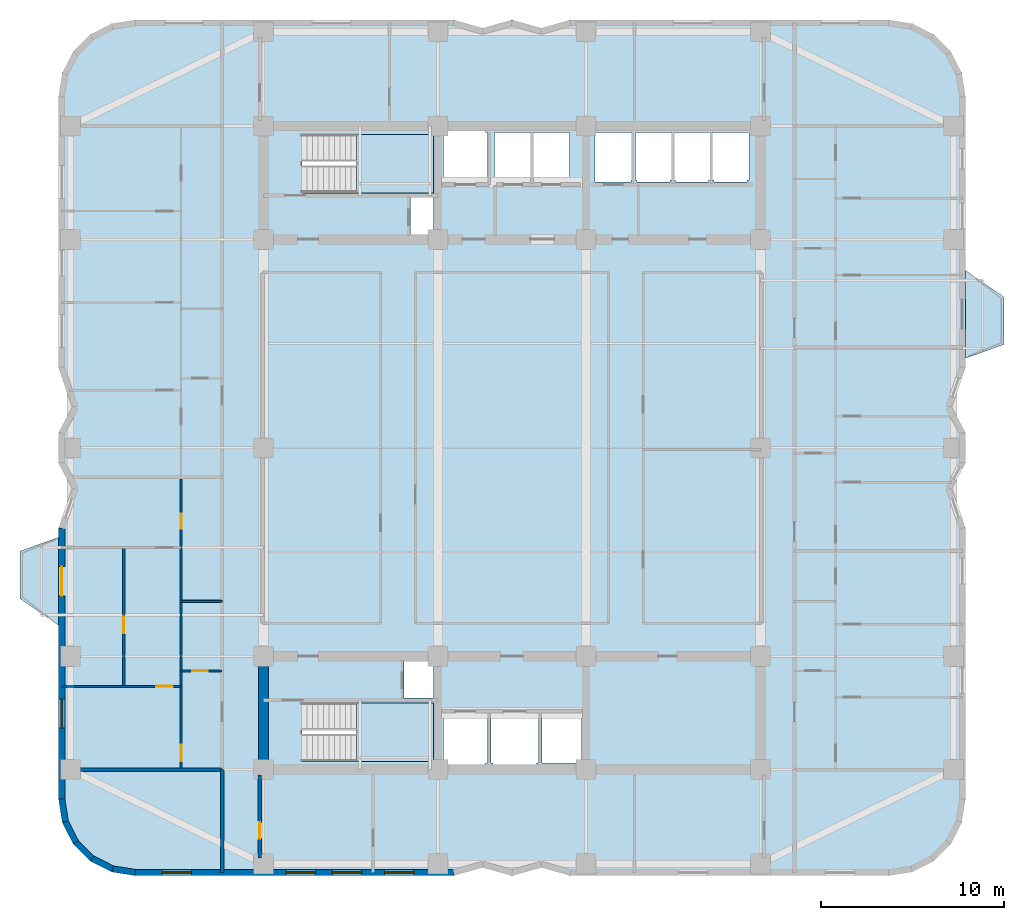
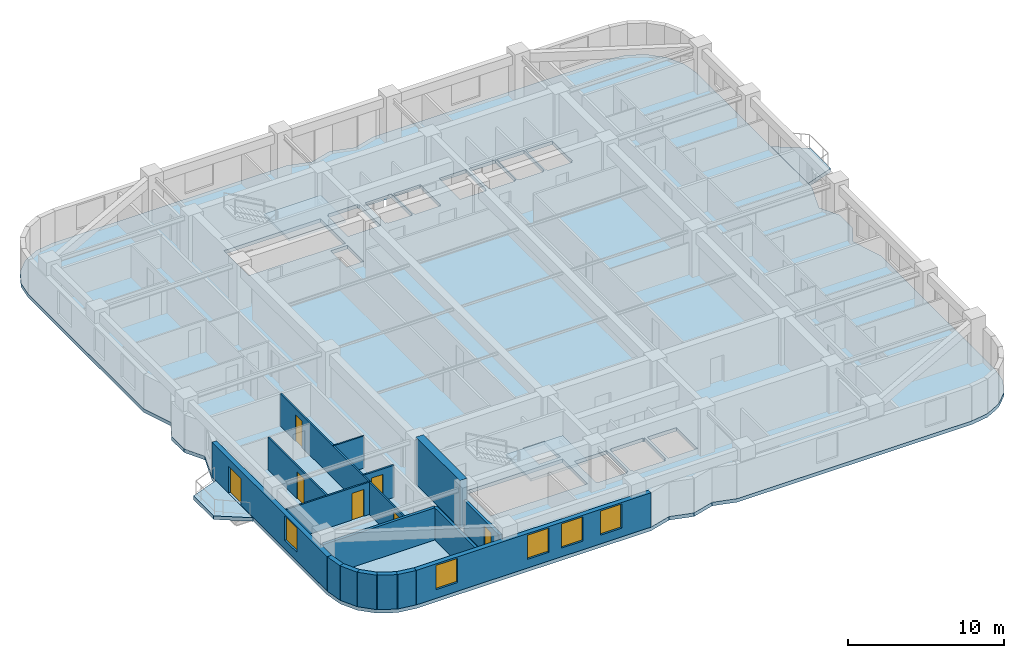
# One storey, part 2 of 9: 16 walls, 7 doors, 5 slabs, 5 windows, 12 openings, 2 elements without a shape of their own.
"""IFC4 building model written with IfcOpenShell, lengths in metres."""

from ifc_helpers import new_model, si_unit, direction, frame, frame_2d, origin, place, context, subcontext, project, spatial, polyline, rectangle, outline, extrude, material, layer, layer_set, type_object, element, fill, aggregate, save


model = new_model("IFC4")

# Units and contexts
model_context = context("Model", 3, precision=1e-05, world=origin(), true_north=direction((0.0, 1.0)))
body_context = subcontext(model_context, "Body", "Model", "MODEL_VIEW")
ifc_project = project(units=[si_unit("LENGTHUNIT", "METRE"), si_unit("AREAUNIT", "SQUARE_METRE"), si_unit("VOLUMEUNIT", "CUBIC_METRE"), si_unit("PLANEANGLEUNIT", "RADIAN"), si_unit("MASSUNIT", "GRAM", prefix="KILO")], contexts=[model_context])

# Site, building, storey
site_placement = place(None, origin())
site = spatial("IfcSite", under=ifc_project, at=site_placement, CompositionType="ELEMENT")
building_placement = place(site_placement, origin())
building = spatial("IfcBuilding", under=site, at=building_placement, Name="Svetorya Sky Lyceum", CompositionType="ELEMENT")
storey_placement = place(building_placement, frame((0.0, 0.0, 125.300048828125)))
storey = spatial("IfcBuildingStorey", under=building, at=storey_placement, Name="L31", CompositionType="ELEMENT", Elevation=125.300048828125)

# Slabs
ifc_material_1 = material(Name="Concrete C40/50", Category="concrete")
ifc_layer_1 = layer(ifc_material_1, 0.280029296875)
ifc_layer_set_1 = layer_set([ifc_layer_1], Name="Concrete C40/50")
slab_type_1 = type_object("IfcSlabType", Name="SL-BAL-280", PredefinedType="FLOOR", material=ifc_layer_set_1)
slab_1_placement = place(storey_placement, frame((0.0, 0.0, -0.280029296875)))
element("IfcSlab", 1, at=slab_1_placement, inside=storey, type_object=slab_type_1, Name="L31 Chamfered Loggia Balcony BAL-W1", PredefinedType="FLOOR", context=body_context, shape_type="SweptSolid", body=[
    extrude(outline(polyline([(14.389892578125, 18.5), (14.389892578125, 23.300048828125), (12.2900390625, 22.550048828125), (12.2900390625, 19.949951171875), (14.389892578125, 18.5)])), origin(), (0.0, 0.0, 1.0), 0.280029296875),
])
slab_2_placement = place(storey_placement, frame((0.0, 0.0, -0.280029296875)))
element("IfcSlab", 2, at=slab_2_placement, inside=storey, type_object=slab_type_1, Name="L31 Chamfered Loggia Balcony BAL-E1", PredefinedType="FLOOR", context=body_context, shape_type="SweptSolid", body=[
    extrude(outline(polyline([(64.010009765625, 33.10009765625), (66.110107421875, 33.85009765625), (66.110107421875, 36.449951171875), (64.010009765625, 37.89990234375), (64.010009765625, 33.10009765625)])), origin(), (0.0, 0.0, 1.0), 0.280029296875),
])

# Stair, slab
stair_type_1 = type_object("IfcStairType", Name="STR-ST-S", PredefinedType="HALF_TURN_STAIR", material=ifc_material_1)
stair_1_placement = place(storey_placement, origin())
stair_1 = element("IfcStair", 3, at=stair_1_placement, inside=storey, type_object=stair_type_1, Name="L31 South Core Smoke-Free Exit Stair N2", PredefinedType="HALF_TURN_STAIR")
ifc_layer_2 = layer(ifc_material_1, 0.199951171875)
ifc_layer_set_2 = layer_set([ifc_layer_2], Name="Concrete C40/50")
slab_type_2 = type_object("IfcSlabType", Name="SL-STR-LAND-200", PredefinedType="LANDING", material=ifc_layer_set_2)
slab_3_placement = place(storey_placement, frame((0.0, 0.0, 1.64990234375)))
slab_3 = element("IfcSlab", 4, at=slab_3_placement, type_object=slab_type_2, Name="ST-S landing 1", PredefinedType="LANDING", context=body_context, shape_type="SweptSolid", body=[
    extrude(outline(polyline([(30.699951171875, 11.050048828125), (34.89990234375, 11.050048828125), (34.89990234375, 14.25), (30.699951171875, 14.25), (30.699951171875, 11.050048828125)])), origin(), (0.0, 0.0, 1.0), 0.199951171875),
])
aggregate(stair_1, [slab_3])

stair_type_2 = type_object("IfcStairType", Name="STR-ST-N", PredefinedType="HALF_TURN_STAIR", material=ifc_material_1)
stair_2_placement = place(storey_placement, origin())
stair_2 = element("IfcStair", 5, at=stair_2_placement, inside=storey, type_object=stair_type_2, Name="L31 North Core Smoke-Free Exit Stair N3", PredefinedType="HALF_TURN_STAIR")
slab_4_placement = place(storey_placement, frame((0.0, 0.0, 1.64990234375)))
slab_4 = element("IfcSlab", 6, at=slab_4_placement, type_object=slab_type_2, Name="ST-N landing 1", PredefinedType="LANDING", context=body_context, shape_type="SweptSolid", body=[
    extrude(outline(polyline([(30.699951171875, 42.14990234375), (34.89990234375, 42.14990234375), (34.89990234375, 45.35009765625), (30.699951171875, 45.35009765625), (30.699951171875, 42.14990234375)])), origin(), (0.0, 0.0, 1.0), 0.199951171875),
])
aggregate(stair_2, [slab_4])

# Slab
ifc_material_2 = material(Name="Concrete C50/60", Category="concrete")
ifc_layer_3 = layer(ifc_material_2, 0.280029296875)
ifc_layer_set_3 = layer_set([ifc_layer_3], Name="Concrete C50/60")
slab_type_3 = type_object("IfcSlabType", Name="SL-TWR-280", PredefinedType="FLOOR", material=ifc_layer_set_3)
slab_5_placement = place(storey_placement, frame((0.0, 0.0, -0.280029296875)))
element("IfcSlab", 7, at=slab_5_placement, inside=storey, type_object=slab_type_3, Name="L31 Structural Floor Slab", PredefinedType="FLOOR", context=body_context, shape_type="SweptSolid", body=[
    extrude(outline(polyline([(14.39990234375, 9.0), (14.605712890625, 7.7021484375), (15.2021484375, 6.53125), (16.13134765625, 5.60205078125), (17.302001953125, 5.005615234375), (18.60009765625, 4.800048828125), (36.0, 4.800048828125), (37.60009765625, 5.25), (39.199951171875, 4.800048828125), (40.800048828125, 5.25), (42.39990234375, 4.800048828125), (59.800048828125, 4.800048828125), (61.097900390625, 5.005615234375), (62.268798828125, 5.60205078125), (63.197998046875, 6.53125), (63.79443359375, 7.7021484375), (64.0, 9.0), (64.0, 23.800048828125), (63.25, 26.0), (64.0, 27.39990234375), (64.0, 29.0), (63.25, 30.39990234375), (64.0, 32.60009765625), (64.0, 47.39990234375), (63.79443359375, 48.697998046875), (63.197998046875, 49.86865234375), (62.268798828125, 50.7978515625), (61.097900390625, 51.394287109375), (59.800048828125, 51.60009765625), (42.39990234375, 51.60009765625), (40.800048828125, 51.14990234375), (39.199951171875, 51.60009765625), (37.60009765625, 51.14990234375), (36.0, 51.60009765625), (18.60009765625, 51.60009765625), (17.302001953125, 51.394287109375), (16.13134765625, 50.7978515625), (15.2021484375, 49.86865234375), (14.605712890625, 48.697998046875), (14.39990234375, 47.39990234375), (14.39990234375, 32.60009765625), (15.14990234375, 30.39990234375), (14.39990234375, 29.0), (14.39990234375, 27.39990234375), (15.14990234375, 26.0), (14.39990234375, 23.800048828125), (14.39990234375, 9.0)]), holes=[polyline([(37.85009765625, 10.949951171875), (37.75, 10.949951171875), (37.75, 10.85009765625), (35.550048828125, 10.85009765625), (35.550048828125, 10.949951171875), (35.449951171875, 10.949951171875), (35.449951171875, 13.64990234375), (35.550048828125, 13.64990234375), (37.75, 13.64990234375), (37.85009765625, 13.64990234375), (37.85009765625, 10.949951171875)]), polyline([(40.64990234375, 13.64990234375), (40.64990234375, 10.949951171875), (40.550048828125, 10.949951171875), (40.550048828125, 10.800048828125), (38.14990234375, 10.800048828125), (38.14990234375, 10.949951171875), (38.050048828125, 10.949951171875), (38.050048828125, 13.64990234375), (38.14990234375, 13.64990234375), (38.14990234375, 13.699951171875), (40.550048828125, 13.699951171875), (40.550048828125, 13.64990234375), (40.64990234375, 13.64990234375)]), polyline([(27.719970703125, 14.25), (34.89990234375, 14.25), (34.89990234375, 11.050048828125), (27.719970703125, 11.050048828125), (27.719970703125, 14.25)]), polyline([(33.300048828125, 14.52001953125), (33.300048828125, 16.580078125), (34.89990234375, 16.580078125), (34.89990234375, 14.52001953125), (33.300048828125, 14.52001953125)]), polyline([(33.64990234375, 41.89990234375), (34.89990234375, 41.89990234375), (34.89990234375, 39.820068359375), (33.64990234375, 39.820068359375), (33.64990234375, 41.89990234375)]), polyline([(27.719970703125, 45.35009765625), (34.89990234375, 45.35009765625), (34.89990234375, 42.14990234375), (27.719970703125, 42.14990234375), (27.719970703125, 45.35009765625)]), polyline([(37.75, 45.550048828125), (37.75, 45.449951171875), (37.85009765625, 45.449951171875), (37.85009765625, 42.75), (37.75, 42.75), (35.550048828125, 42.75), (35.449951171875, 42.75), (35.449951171875, 45.449951171875), (35.550048828125, 45.449951171875), (35.550048828125, 45.550048828125), (37.75, 45.550048828125)]), polyline([(38.39990234375, 42.85009765625), (38.25, 42.85009765625), (38.25, 45.449951171875), (38.39990234375, 45.449951171875), (40.199951171875, 45.449951171875), (40.25, 45.449951171875), (40.25, 42.85009765625), (40.199951171875, 42.85009765625), (40.199951171875, 42.75), (38.39990234375, 42.75), (38.39990234375, 42.85009765625)]), polyline([(40.85009765625, 13.64990234375), (43.0, 13.64990234375), (43.0, 10.949951171875), (40.85009765625, 10.949951171875), (40.85009765625, 13.64990234375)]), polyline([(40.39990234375, 42.85009765625), (40.35009765625, 42.85009765625), (40.35009765625, 45.449951171875), (40.39990234375, 45.449951171875), (42.300048828125, 45.449951171875), (42.35009765625, 45.449951171875), (42.35009765625, 42.85009765625), (42.300048828125, 42.85009765625), (42.300048828125, 42.75), (40.39990234375, 42.75), (40.39990234375, 42.85009765625)]), polyline([(43.75, 42.75), (43.75, 42.85009765625), (43.75, 45.449951171875), (45.699951171875, 45.449951171875), (45.75, 45.449951171875), (45.75, 42.85009765625), (45.699951171875, 42.85009765625), (45.699951171875, 42.75), (43.75, 42.75)]), polyline([(46.050048828125, 42.85009765625), (45.949951171875, 42.85009765625), (45.949951171875, 45.449951171875), (46.050048828125, 45.449951171875), (47.85009765625, 45.449951171875), (47.949951171875, 45.449951171875), (47.949951171875, 42.85009765625), (47.85009765625, 42.85009765625), (47.85009765625, 42.75), (46.050048828125, 42.75), (46.050048828125, 42.85009765625)]), polyline([(48.14990234375, 42.85009765625), (48.050048828125, 42.85009765625), (48.050048828125, 45.449951171875), (48.14990234375, 45.449951171875), (49.949951171875, 45.449951171875), (50.050048828125, 45.449951171875), (50.050048828125, 42.85009765625), (49.949951171875, 42.85009765625), (49.949951171875, 42.75), (48.14990234375, 42.75), (48.14990234375, 42.85009765625)]), polyline([(52.14990234375, 42.85009765625), (52.050048828125, 42.85009765625), (52.050048828125, 42.75), (50.25, 42.75), (50.25, 42.85009765625), (50.14990234375, 42.85009765625), (50.14990234375, 45.449951171875), (50.25, 45.449951171875), (52.050048828125, 45.449951171875), (52.14990234375, 45.449951171875), (52.14990234375, 42.85009765625)])]), origin(), (0.0, 0.0, 1.0), 0.280029296875),
])

# Walls
ifc_material_3 = material(Name="Concrete C60/75", Category="concrete")
ifc_layer_4 = layer(ifc_material_3, 0.550048828125)
ifc_layer_set_4 = layer_set([ifc_layer_4], Name="Concrete C60/75")
wall_type_1 = type_object("IfcWallType", Name="WL-CORE-550", PredefinedType="SHEAR", material=ifc_layer_set_4)
wall_1_placement = place(storey_placement, frame((25.60009765625, 10.875, 0.0), z_axis=(0.0, 0.0, 1.0), x_axis=(0.0, 1.0, 0.0)))
element("IfcWall", 8, at=wall_1_placement, inside=storey, type_object=wall_type_1, Name="L31 SC West Core Shear Wall", PredefinedType="SHEAR", context=body_context, shape_type="SweptSolid", body=[
    extrude(rectangle(XDim=5.64990234375, YDim=0.550048828125, at=frame_2d((2.824951171875, 0.0))), origin(), (0.0, 0.0, 1.0), 3.699951171875),
])
ifc_material_4 = material(Name="Putilovo limestone rainscreen on autoclaved cellular masonry", Category="masonry")
ifc_layer_5 = layer(ifc_material_4, 0.340087890625)
ifc_layer_set_5 = layer_set([ifc_layer_5], Name="Putilovo limestone rainscreen on autoclaved cellular masonry")
wall_type_2 = type_object("IfcWallType", Name="WL-EXT-340", PredefinedType="SOLIDWALL", material=ifc_layer_set_5)
wall_2_placement = place(storey_placement, frame((14.570068359375, 9.0, 0.0), z_axis=(0.0, 0.0, 1.0), x_axis=(0.156260864002, -0.98771582066, 0.0)))
element("IfcWall", 9, at=wall_2_placement, inside=storey, type_object=wall_type_2, Name="L31 Limestone Exterior Wall 1M", PredefinedType="SOLIDWALL", context=body_context, shape_type="SweptSolid", body=[
    extrude(rectangle(XDim=1.2607421875, YDim=0.340087890625, at=frame_2d((0.63037109375, 0.0))), origin(), (0.0, 0.0, 1.0), 2.699951171875),
])
wall_3_placement = place(storey_placement, frame((14.76708984375, 7.754638671875, 0.0), z_axis=(0.0, 0.0, 1.0), x_axis=(0.454015689056, -0.890993689142, 0.0)))
element("IfcWall", 10, at=wall_3_placement, inside=storey, type_object=wall_type_2, Name="L31 Limestone Exterior Wall 2M", PredefinedType="SOLIDWALL", context=body_context, shape_type="SweptSolid", body=[
    extrude(rectangle(XDim=1.260986328125, YDim=0.340087890625, at=frame_2d((0.63037109375, 0.0))), origin(), (0.0, 0.0, 1.0), 2.699951171875),
])
wall_4_placement = place(storey_placement, frame((15.339599609375, 6.631103515625, 0.0), z_axis=(0.0, 0.0, 1.0), x_axis=(0.707203598708, -0.707009950407, 0.0)))
element("IfcWall", 11, at=wall_4_placement, inside=storey, type_object=wall_type_2, Name="L31 Limestone Exterior Wall 3M", PredefinedType="SOLIDWALL", context=body_context, shape_type="SweptSolid", body=[
    extrude(rectangle(XDim=1.2607421875, YDim=0.340087890625, at=frame_2d((0.63037109375, 0.0))), origin(), (0.0, 0.0, 1.0), 2.699951171875),
])
for number, where, z_axis, x_axis, name in (
    (12, (16.231201171875, 5.73974609375, 0.0), (0.0, 0.0, 1.0), (0.890993689142, -0.454015689056, 0.0), "L31 Limestone Exterior Wall 4M"),
    (13, (17.354736328125, 5.167236328125, 0.0), (0.0, 0.0, 1.0), (0.987685918112, -0.15644975923, 0.0), "L31 Limestone Exterior Wall 5M"),
):
    element("IfcWall", number, at=place(storey_placement, frame(where, z_axis=z_axis, x_axis=x_axis)), inside=storey, type_object=wall_type_2, Name=name, PredefinedType="SOLIDWALL", context=body_context, shape_type="SweptSolid", body=[
        extrude(rectangle(XDim=1.260986328125, YDim=0.340087890625, at=frame_2d((0.63037109375, 0.0))), origin(), (0.0, 0.0, 1.0), 2.699951171875),
    ])

# Wall, openings, windows
wall_5_placement = place(storey_placement, frame((18.60009765625, 4.969970703125, 0.0), z_axis=(0.0, 0.0, 1.0), x_axis=(1.0, 0.0, 0.0)))
wall_5 = element("IfcWall", 14, at=wall_5_placement, inside=storey, type_object=wall_type_2, Name="L31 Limestone Exterior Wall 6M", PredefinedType="SOLIDWALL", context=body_context, shape_type="SweptSolid", body=[
    extrude(rectangle(XDim=17.39990234375, YDim=0.340087890625, at=frame_2d((8.699951171875, 0.0))), origin(), (0.0, 0.0, 1.0), 2.699951171875),
])
opening_1_placement = place(wall_5_placement, frame((1.4599609375, 0.0, 0.679931640625)))
opening_1 = element("IfcOpeningElement", 15, at=opening_1_placement, cuts=wall_5, Name="Opening W-R4", PredefinedType="OPENING", context=body_context, shape_type="SweptSolid", body=[
    extrude(rectangle(XDim=1.60009765625, YDim=1.89990234375, at=frame_2d((0.800048828125, 0.949951171875))), frame((0.0, 0.179931640625, 0.0), z_axis=(0.0, -1.0, 0.0), x_axis=(1.0, 0.0, 0.0)), (0.0, 0.0, 1.0), 0.360107421875),
])
opening_2_placement = place(wall_5_placement, frame((8.25, 0.0, 0.679931640625)))
opening_2 = element("IfcOpeningElement", 16, at=opening_2_placement, cuts=wall_5, Name="Opening W-R4", PredefinedType="OPENING", context=body_context, shape_type="SweptSolid", body=[
    extrude(rectangle(XDim=1.60009765625, YDim=1.89990234375, at=frame_2d((0.800048828125, 0.949951171875))), frame((0.0, 0.179931640625, 0.0), z_axis=(0.0, -1.0, 0.0), x_axis=(1.0, 0.0, 0.0)), (0.0, 0.0, 1.0), 0.360107421875),
])
opening_3_placement = place(wall_5_placement, frame((10.77001953125, 0.0, 0.679931640625)))
opening_3 = element("IfcOpeningElement", 17, at=opening_3_placement, cuts=wall_5, Name="Opening W-R4", PredefinedType="OPENING", context=body_context, shape_type="SweptSolid", body=[
    extrude(rectangle(XDim=1.60009765625, YDim=1.89990234375, at=frame_2d((0.800048828125, 0.949951171875))), frame((0.0, 0.179931640625, 0.0), z_axis=(0.0, -1.0, 0.0), x_axis=(1.0, 0.0, 0.0)), (0.0, 0.0, 1.0), 0.360107421875),
])
opening_4_placement = place(wall_5_placement, frame((13.639892578125, 0.0, 0.679931640625)))
opening_4 = element("IfcOpeningElement", 18, at=opening_4_placement, cuts=wall_5, Name="Opening W-R4", PredefinedType="OPENING", context=body_context, shape_type="SweptSolid", body=[
    extrude(rectangle(XDim=1.60009765625, YDim=1.89990234375, at=frame_2d((0.800048828125, 0.949951171875))), frame((0.0, 0.179931640625, 0.0), z_axis=(0.0, -1.0, 0.0), x_axis=(1.0, 0.0, 0.0)), (0.0, 0.0, 1.0), 0.360107421875),
])
ifc_material_5 = material(Name="Thermally broken aluminium frame with triple low-E glazing", Category="aluminium")
window_type = type_object("IfcWindowType", Name="WN-RES-160", PartitioningType="DOUBLE_PANEL_VERTICAL", PredefinedType="WINDOW", material=ifc_material_5)
window_1_placement = place(opening_1_placement, origin())
window_1 = element("IfcWindow", 19, at=window_1_placement, inside=storey, type_object=window_type, Name="L31 Facade Window W-R4.6M.1", OverallHeight=1.89990234375, OverallWidth=1.60009765625, PartitioningType="SINGLE_PANEL", PredefinedType="WINDOW", context=body_context, shape_type="SweptSolid", body=[
    extrude(rectangle(XDim=1.60009765625, YDim=1.89990234375, at=frame_2d((0.800048828125, 0.949951171875))), frame((0.0, 0.030029296875, 0.0), z_axis=(0.0, -1.0, 0.0), x_axis=(1.0, 0.0, 0.0)), (0.0, 0.0, 1.0), 0.06005859375),
])
fill(opening_1, window_1)
window_2_placement = place(opening_2_placement, origin())
window_2 = element("IfcWindow", 20, at=window_2_placement, inside=storey, type_object=window_type, Name="L31 Facade Window W-R4.6M.2", OverallHeight=1.89990234375, OverallWidth=1.60009765625, PartitioningType="SINGLE_PANEL", PredefinedType="WINDOW", context=body_context, shape_type="SweptSolid", body=[
    extrude(rectangle(XDim=1.60009765625, YDim=1.89990234375, at=frame_2d((0.800048828125, 0.949951171875))), frame((0.0, 0.030029296875, 0.0), z_axis=(0.0, -1.0, 0.0), x_axis=(1.0, 0.0, 0.0)), (0.0, 0.0, 1.0), 0.06005859375),
])
fill(opening_2, window_2)
window_3_placement = place(opening_3_placement, origin())
window_3 = element("IfcWindow", 21, at=window_3_placement, inside=storey, type_object=window_type, Name="L31 Facade Window W-R4.6M.3", OverallHeight=1.89990234375, OverallWidth=1.60009765625, PartitioningType="SINGLE_PANEL", PredefinedType="WINDOW", context=body_context, shape_type="SweptSolid", body=[
    extrude(rectangle(XDim=1.60009765625, YDim=1.89990234375, at=frame_2d((0.800048828125, 0.949951171875))), frame((0.0, 0.030029296875, 0.0), z_axis=(0.0, -1.0, 0.0), x_axis=(1.0, 0.0, 0.0)), (0.0, 0.0, 1.0), 0.06005859375),
])
fill(opening_3, window_3)
window_4_placement = place(opening_4_placement, origin())
window_4 = element("IfcWindow", 22, at=window_4_placement, inside=storey, type_object=window_type, Name="L31 Facade Window W-R4.6M.4", OverallHeight=1.89990234375, OverallWidth=1.60009765625, PartitioningType="SINGLE_PANEL", PredefinedType="WINDOW", context=body_context, shape_type="SweptSolid", body=[
    extrude(rectangle(XDim=1.60009765625, YDim=1.89990234375, at=frame_2d((0.800048828125, 0.949951171875))), frame((0.0, 0.030029296875, 0.0), z_axis=(0.0, -1.0, 0.0), x_axis=(1.0, 0.0, 0.0)), (0.0, 0.0, 1.0), 0.06005859375),
])
fill(opening_4, window_4)

# Wall, openings, door, window
wall_6_placement = place(storey_placement, frame((14.570068359375, 23.800048828125, 0.0), z_axis=(0.0, 0.0, 1.0), x_axis=(0.0, -1.0, 0.0)))
wall_6 = element("IfcWall", 23, at=wall_6_placement, inside=storey, type_object=wall_type_2, Name="L31 Limestone Exterior Wall 46M", PredefinedType="SOLIDWALL", context=body_context, shape_type="SweptSolid", body=[
    extrude(rectangle(XDim=14.800048828125, YDim=0.340087890625, at=frame_2d((7.39990234375, 0.0))), origin(), (0.0, 0.0, 1.0), 2.699951171875),
])
opening_5_placement = place(wall_6_placement, frame((2.10009765625, 0.0, 0.0)))
opening_5 = element("IfcOpeningElement", 24, at=opening_5_placement, cuts=wall_6, Name="Opening D-BL1", PredefinedType="OPENING", context=body_context, shape_type="SweptSolid", body=[
    extrude(rectangle(XDim=1.60009765625, YDim=2.10009765625, at=frame_2d((0.800048828125, 1.050048828125))), frame((0.0, 0.179931640625, 0.0), z_axis=(0.0, -1.0, 0.0), x_axis=(1.0, 0.0, 0.0)), (0.0, 0.0, 1.0), 0.360107421875),
])
opening_6_placement = place(wall_6_placement, frame((9.33740234375, 0.0, 0.679931640625)))
opening_6 = element("IfcOpeningElement", 25, at=opening_6_placement, cuts=wall_6, Name="Opening W-R4", PredefinedType="OPENING", context=body_context, shape_type="SweptSolid", body=[
    extrude(rectangle(XDim=1.60009765625, YDim=1.89990234375, at=frame_2d((0.800048828125, 0.949951171875))), frame((0.0, 0.179931640625, 0.0), z_axis=(0.0, -1.0, 0.0), x_axis=(1.0, 0.0, 0.0)), (0.0, 0.0, 1.0), 0.360107421875),
])
ifc_material_6 = material(Name="Insulated glazed aluminium balcony door", Category="aluminium")
door_type_1 = type_object("IfcDoorType", Name="DR-BAL-1600", OperationType="DOUBLE_DOOR_SINGLE_SWING", PredefinedType="DOOR", material=ifc_material_6)
door_1_placement = place(opening_5_placement, origin())
door_1 = element("IfcDoor", 26, at=door_1_placement, inside=storey, type_object=door_type_1, Name="L31 Balcony BAL-W1 Door", OperationType="DOUBLE_DOOR_SINGLE_SWING", OverallHeight=2.10009765625, OverallWidth=1.60009765625, PredefinedType="DOOR", context=body_context, shape_type="SweptSolid", body=[
    extrude(rectangle(XDim=1.60009765625, YDim=2.10009765625, at=frame_2d((0.800048828125, 1.050048828125))), frame((0.0, 0.02490234375, 0.0), z_axis=(0.0, -1.0, 0.0), x_axis=(1.0, 0.0, 0.0)), (0.0, 0.0, 1.0), 0.050048828125),
])
fill(opening_5, door_1)
window_5_placement = place(opening_6_placement, origin())
window_5 = element("IfcWindow", 27, at=window_5_placement, inside=storey, type_object=window_type, Name="L31 Facade Window W-R4.46M.1", OverallHeight=1.89990234375, OverallWidth=1.60009765625, PartitioningType="SINGLE_PANEL", PredefinedType="WINDOW", context=body_context, shape_type="SweptSolid", body=[
    extrude(rectangle(XDim=1.60009765625, YDim=1.89990234375, at=frame_2d((0.800048828125, 0.949951171875))), frame((0.0, 0.030029296875, 0.0), z_axis=(0.0, -1.0, 0.0), x_axis=(1.0, 0.0, 0.0)), (0.0, 0.0, 1.0), 0.06005859375),
])
fill(opening_6, window_5)

# Wall
ifc_material_7 = material(Name="Galvanized stud partition with moisture-resistant board", Category="gypsum")
ifc_layer_6 = layer(ifc_material_7, 0.10009765625)
ifc_layer_set_6 = layer_set([ifc_layer_6], Name="Galvanized stud partition with moisture-resistant board")
wall_type_3 = type_object("IfcWallType", Name="WL-PART-100", PredefinedType="PARTITIONING", material=ifc_layer_set_6)
wall_7_placement = place(storey_placement, frame((21.10009765625, 19.800048828125, 0.0), z_axis=(0.0, 0.0, 1.0), x_axis=(1.0, 0.0, 0.0)))
element("IfcWall", 28, at=wall_7_placement, inside=storey, type_object=wall_type_3, Name="L31 Interior Partition W1-WH2", PredefinedType="PARTITIONING", context=body_context, shape_type="SweptSolid", body=[
    extrude(rectangle(XDim=2.25, YDim=0.10009765625, at=frame_2d((1.125, 0.0))), origin(), (0.0, 0.0, 1.0), 2.530029296875),
])

# Wall, opening, door
ifc_material_8 = material(Name="Twin-stud galvanized framing with double fireboard", Category="gypsum")
ifc_layer_7 = layer(ifc_material_8, 0.1201171875)
ifc_layer_set_7 = layer_set([ifc_layer_7], Name="Twin-stud galvanized framing with double fireboard")
wall_type_4 = type_object("IfcWallType", Name="WL-PART-120", PredefinedType="PARTITIONING", material=ifc_layer_set_7)
wall_8_placement = place(storey_placement, frame((21.10009765625, 16.0, 0.0), z_axis=(0.0, 0.0, 1.0), x_axis=(1.0, 0.0, 0.0)))
wall_8 = element("IfcWall", 29, at=wall_8_placement, inside=storey, type_object=wall_type_4, Name="L31 Interior Partition W1-WH1", PredefinedType="PARTITIONING", context=body_context, shape_type="SweptSolid", body=[
    extrude(rectangle(XDim=2.25, YDim=0.1201171875, at=frame_2d((1.125, 0.0))), origin(), (0.0, 0.0, 1.0), 2.530029296875),
])
opening_7_placement = place(wall_8_placement, frame((0.60009765625, 0.0, 0.0)))
opening_7 = element("IfcOpeningElement", 30, at=opening_7_placement, cuts=wall_8, Name="Opening D-BT1", PredefinedType="OPENING", context=body_context, shape_type="SweptSolid", body=[
    extrude(rectangle(XDim=0.85009765625, YDim=2.10009765625, at=frame_2d((0.425048828125, 1.050048828125))), frame((0.0, 0.070068359375, 0.0), z_axis=(0.0, -1.0, 0.0), x_axis=(1.0, 0.0, 0.0)), (0.0, 0.0, 1.0), 0.14013671875),
])
ifc_material_9 = material(Name="Moisture-resistant laminate bathroom door")
door_type_2 = type_object("IfcDoorType", Name="DR-WET-850", OperationType="SINGLE_SWING_LEFT", PredefinedType="DOOR", material=ifc_material_9)
door_2_placement = place(opening_7_placement, origin())
door_2 = element("IfcDoor", 31, at=door_2_placement, inside=storey, type_object=door_type_2, Name="Apartment W1 Bathroom Door", OperationType="SINGLE_SWING_LEFT", OverallHeight=2.10009765625, OverallWidth=0.85009765625, PredefinedType="DOOR", context=body_context, shape_type="SweptSolid", body=[
    extrude(rectangle(XDim=0.85009765625, YDim=2.10009765625, at=frame_2d((0.425048828125, 1.050048828125))), frame((0.0, 0.02490234375, 0.0), z_axis=(0.0, -1.0, 0.0), x_axis=(1.0, 0.0, 0.0)), (0.0, 0.0, 1.0), 0.050048828125),
])
fill(opening_7, door_2)

wall_9_placement = place(storey_placement, frame((17.96630859375, 15.18994140625, 0.0), z_axis=(0.0, 0.0, 1.0), x_axis=(0.0, 1.0, 0.0)))
wall_9 = element("IfcWall", 32, at=wall_9_placement, inside=storey, type_object=wall_type_4, Name="L31 Interior Partition W1-BVD1", PredefinedType="PARTITIONING", context=body_context, shape_type="SweptSolid", body=[
    extrude(rectangle(XDim=7.52001953125, YDim=0.1201171875, at=frame_2d((3.760009765625, 0.0))), origin(), (0.0, 0.0, 1.0), 2.530029296875),
])
opening_8_placement = place(wall_9_placement, frame((2.860107421875, 0.0, 0.0)))
opening_8 = element("IfcOpeningElement", 33, at=opening_8_placement, cuts=wall_9, Name="Opening D-RM1", PredefinedType="OPENING", context=body_context, shape_type="SweptSolid", body=[
    extrude(rectangle(XDim=0.89990234375, YDim=2.10009765625, at=frame_2d((0.449951171875, 1.050048828125))), frame((0.0, 0.070068359375, 0.0), z_axis=(0.0, -1.0, 0.0), x_axis=(1.0, 0.0, 0.0)), (0.0, 0.0, 1.0), 0.14013671875),
])
ifc_material_10 = material(Name="Lacquered birch veneer internal door")
door_type_3 = type_object("IfcDoorType", Name="DR-INT-900", OperationType="SINGLE_SWING_LEFT", PredefinedType="DOOR", material=ifc_material_10)
door_3_placement = place(opening_8_placement, origin())
door_3 = element("IfcDoor", 34, at=door_3_placement, inside=storey, type_object=door_type_3, Name="Apartment W1 Suite Bedroom Door", OperationType="SINGLE_SWING_LEFT", OverallHeight=2.10009765625, OverallWidth=0.89990234375, PredefinedType="DOOR", context=body_context, shape_type="SweptSolid", body=[
    extrude(rectangle(XDim=0.89990234375, YDim=2.10009765625, at=frame_2d((0.449951171875, 1.050048828125))), frame((0.0, 0.02490234375, 0.0), z_axis=(0.0, -1.0, 0.0), x_axis=(1.0, 0.0, 0.0)), (0.0, 0.0, 1.0), 0.050048828125),
])
fill(opening_8, door_3)

wall_10_placement = place(storey_placement, frame((14.570068359375, 15.14990234375, 0.0), z_axis=(0.0, 0.0, 1.0), x_axis=(1.0, 0.0, 0.0)))
wall_10 = element("IfcWall", 35, at=wall_10_placement, inside=storey, type_object=wall_type_4, Name="L31 Interior Partition W1-WL1", PredefinedType="PARTITIONING", context=body_context, shape_type="SweptSolid", body=[
    extrude(rectangle(XDim=6.530029296875, YDim=0.1201171875, at=frame_2d((3.26513671875, 0.0))), origin(), (0.0, 0.0, 1.0), 2.530029296875),
])
opening_9_placement = place(wall_10_placement, frame((5.179931640625, 0.0, 0.0)))
opening_9 = element("IfcOpeningElement", 36, at=opening_9_placement, cuts=wall_10, Name="Opening D-RM1", PredefinedType="OPENING", context=body_context, shape_type="SweptSolid", body=[
    extrude(rectangle(XDim=0.89990234375, YDim=2.10009765625, at=frame_2d((0.449951171875, 1.050048828125))), frame((0.0, 0.070068359375, 0.0), z_axis=(0.0, -1.0, 0.0), x_axis=(1.0, 0.0, 0.0)), (0.0, 0.0, 1.0), 0.14013671875),
])
door_4_placement = place(opening_9_placement, origin())
door_4 = element("IfcDoor", 37, at=door_4_placement, inside=storey, type_object=door_type_3, Name="Apartment W1 Master Bedroom Door", OperationType="SINGLE_SWING_LEFT", OverallHeight=2.10009765625, OverallWidth=0.89990234375, PredefinedType="DOOR", context=body_context, shape_type="SweptSolid", body=[
    extrude(rectangle(XDim=0.89990234375, YDim=2.10009765625, at=frame_2d((0.449951171875, 1.050048828125))), frame((0.0, 0.02490234375, 0.0), z_axis=(0.0, -1.0, 0.0), x_axis=(1.0, 0.0, 0.0)), (0.0, 0.0, 1.0), 0.050048828125),
])
fill(opening_9, door_4)

# Wall, openings, doors
wall_11_placement = place(storey_placement, frame((21.10009765625, 10.639892578125, 0.0), z_axis=(0.0, 0.0, 1.0), x_axis=(0.0, 1.0, 0.0)))
wall_11 = element("IfcWall", 38, at=wall_11_placement, inside=storey, type_object=wall_type_4, Name="L31 Interior Partition W1-WV", PredefinedType="PARTITIONING", context=body_context, shape_type="SweptSolid", body=[
    extrude(rectangle(XDim=15.920166015625, YDim=0.1201171875, at=frame_2d((7.9599609375, 0.0))), origin(), (0.0, 0.0, 1.0), 2.530029296875),
])
opening_10_placement = place(wall_11_placement, frame((0.409912109375, 0.0, 0.0)))
opening_10 = element("IfcOpeningElement", 39, at=opening_10_placement, cuts=wall_11, Name="Opening D-RM1", PredefinedType="OPENING", context=body_context, shape_type="SweptSolid", body=[
    extrude(rectangle(XDim=0.89990234375, YDim=2.10009765625, at=frame_2d((0.449951171875, 1.050048828125))), frame((0.0, 0.070068359375, 0.0), z_axis=(0.0, -1.0, 0.0), x_axis=(1.0, 0.0, 0.0)), (0.0, 0.0, 1.0), 0.14013671875),
])
opening_11_placement = place(wall_11_placement, frame((13.125, 0.0, 0.0)))
opening_11 = element("IfcOpeningElement", 40, at=opening_11_placement, cuts=wall_11, Name="Opening D-BT2", PredefinedType="OPENING", context=body_context, shape_type="SweptSolid", body=[
    extrude(rectangle(XDim=0.820068359375, YDim=2.080078125, at=frame_2d((0.41015625, 1.0400390625))), frame((0.0, 0.070068359375, 0.0), z_axis=(0.0, -1.0, 0.0), x_axis=(1.0, 0.0, 0.0)), (0.0, 0.0, 1.0), 0.14013671875),
])
door_5_placement = place(opening_10_placement, origin())
door_5 = element("IfcDoor", 41, at=door_5_placement, inside=storey, type_object=door_type_3, Name="Apartment W1 Living Door", OperationType="SINGLE_SWING_RIGHT", OverallHeight=2.10009765625, OverallWidth=0.89990234375, PredefinedType="DOOR", context=body_context, shape_type="SweptSolid", body=[
    extrude(rectangle(XDim=0.89990234375, YDim=2.10009765625, at=frame_2d((0.449951171875, 1.050048828125))), frame((0.0, 0.02490234375, 0.0), z_axis=(0.0, -1.0, 0.0), x_axis=(1.0, 0.0, 0.0)), (0.0, 0.0, 1.0), 0.050048828125),
])
fill(opening_10, door_5)
ifc_material_11 = material(Name="Compact moisture-resistant laminate closet door")
door_type_4 = type_object("IfcDoorType", Name="DR-WET-820", OperationType="SINGLE_SWING_LEFT", PredefinedType="DOOR", material=ifc_material_11)
door_6_placement = place(opening_11_placement, origin())
door_6 = element("IfcDoor", 42, at=door_6_placement, inside=storey, type_object=door_type_4, Name="Apartment W1 Study Door", OperationType="SINGLE_SWING_LEFT", OverallHeight=2.080078125, OverallWidth=0.820068359375, PredefinedType="DOOR", context=body_context, shape_type="SweptSolid", body=[
    extrude(rectangle(XDim=0.820068359375, YDim=2.080078125, at=frame_2d((0.41015625, 1.0400390625))), frame((0.0, 0.02490234375, 0.0), z_axis=(0.0, -1.0, 0.0), x_axis=(1.0, 0.0, 0.0)), (0.0, 0.0, 1.0), 0.050048828125),
])
fill(opening_11, door_6)

# Walls
ifc_material_12 = material(Name="Autoclaved cellular masonry blockwork with gypsum plaster", Category="masonry")
ifc_layer_8 = layer(ifc_material_12, 0.199951171875)
ifc_layer_set_8 = layer_set([ifc_layer_8], Name="Autoclaved cellular masonry blockwork with gypsum plaster")
wall_type_5 = type_object("IfcWallType", Name="WL-PART-200", PredefinedType="PARTITIONING", material=ifc_layer_set_8)
wall_12_placement = place(storey_placement, frame((14.989990234375, 10.60009765625, 0.0), z_axis=(0.0, 0.0, 1.0), x_axis=(1.0, 0.0, 0.0)))
element("IfcWall", 43, at=wall_12_placement, inside=storey, type_object=wall_type_5, Name="L31 Interior Partition W-CAP-S", PredefinedType="PARTITIONING", context=body_context, shape_type="SweptSolid", body=[
    extrude(rectangle(XDim=8.360107421875, YDim=0.199951171875, at=frame_2d((4.18017578125, 0.0))), origin(), (0.0, 0.0, 1.0), 2.530029296875),
])
wall_13_placement = place(storey_placement, frame((23.35009765625, 4.969970703125, 0.0), z_axis=(0.0, 0.0, 1.0), x_axis=(0.0, 1.0, 0.0)))
element("IfcWall", 44, at=wall_13_placement, inside=storey, type_object=wall_type_5, Name="L31 Interior Partition WC-SW-END", PredefinedType="PARTITIONING", context=body_context, shape_type="SweptSolid", body=[
    extrude(rectangle(XDim=5.630126953125, YDim=0.199951171875, at=frame_2d((2.81494140625, 0.0))), origin(), (0.0, 0.0, 1.0), 2.530029296875),
])

# Wall, opening, door
wall_14_placement = place(storey_placement, frame((25.39990234375, 5.77001953125, 0.0), z_axis=(0.0, 0.0, 1.0), x_axis=(0.0, 1.0, 0.0)))
wall_14 = element("IfcWall", 45, at=wall_14_placement, inside=storey, type_object=wall_type_5, Name="L31 Interior Partition S-EW", PredefinedType="PARTITIONING", context=body_context, shape_type="SweptSolid", body=[
    extrude(rectangle(XDim=4.530029296875, YDim=0.199951171875, at=frame_2d((2.26513671875, 0.0))), origin(), (0.0, 0.0, 1.0), 2.530029296875),
])
opening_12_placement = place(wall_14_placement, frame((1.050048828125, 0.0, 0.0)))
opening_12 = element("IfcOpeningElement", 46, at=opening_12_placement, cuts=wall_14, Name="Opening D-RM1", PredefinedType="OPENING", context=body_context, shape_type="SweptSolid", body=[
    extrude(rectangle(XDim=0.89990234375, YDim=2.10009765625, at=frame_2d((0.449951171875, 1.050048828125))), frame((0.0, 0.10986328125, 0.0), z_axis=(0.0, -1.0, 0.0), x_axis=(1.0, 0.0, 0.0)), (0.0, 0.0, 1.0), 0.219970703125),
])
door_7_placement = place(opening_12_placement, origin())
door_7 = element("IfcDoor", 47, at=door_7_placement, inside=storey, type_object=door_type_3, Name="L31 South Study Door", OperationType="SINGLE_SWING_LEFT", OverallHeight=2.10009765625, OverallWidth=0.89990234375, PredefinedType="DOOR", context=body_context, shape_type="SweptSolid", body=[
    extrude(rectangle(XDim=0.89990234375, YDim=2.10009765625, at=frame_2d((0.449951171875, 1.050048828125))), frame((0.0, 0.02490234375, 0.0), z_axis=(0.0, -1.0, 0.0), x_axis=(1.0, 0.0, 0.0)), (0.0, 0.0, 1.0), 0.050048828125),
])
fill(opening_12, door_7)

save(model, "model.ifc")
